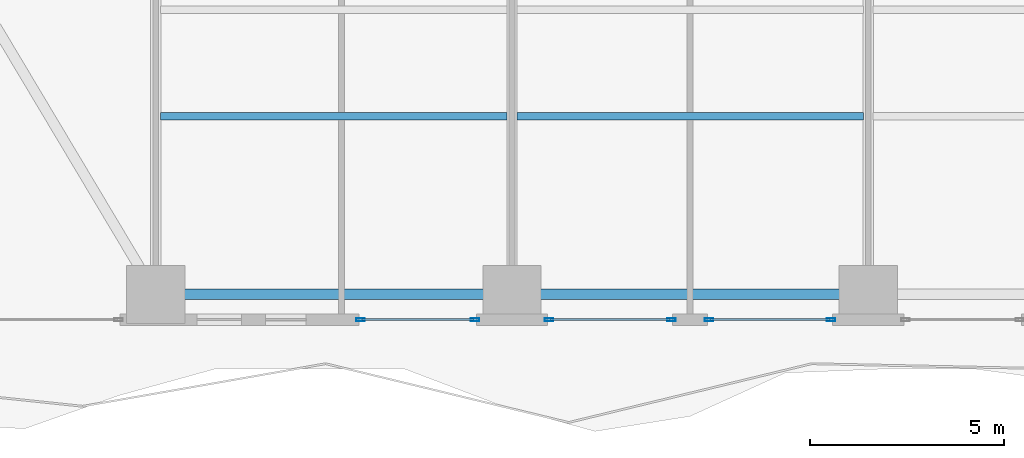
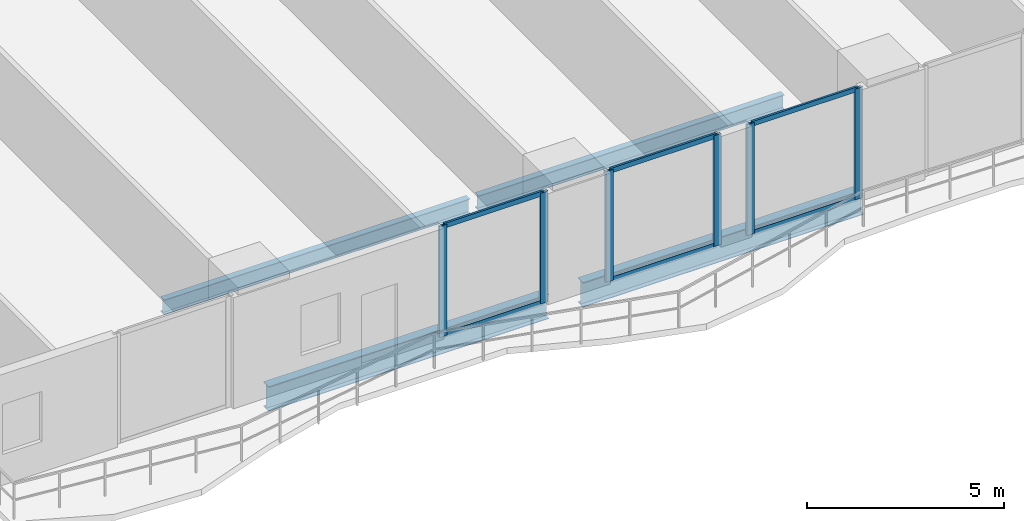
# One storey, part 4 of 29: 12 members, 4 beams, 3 elements without a shape of their own.
"""IFC4 building model written with IfcOpenShell, lengths in metres."""

from ifc_helpers import new_model, si_unit, direction, frame, origin, origin_2d, place, context, subcontext, project, spatial, hollow_rectangle, i_section, extrude, material, layer, layer_set, material_profile, profile_set, type_object, element, aggregate, save


model = new_model("IFC4")

# Units and contexts
model_context = context("Model", 3, precision=1e-05, world=origin(), true_north=direction((0.0, 1.0)))
body_context = subcontext(model_context, "Body", "Model", "MODEL_VIEW")
ifc_project = project(units=[si_unit("LENGTHUNIT", "METRE"), si_unit("AREAUNIT", "SQUARE_METRE"), si_unit("VOLUMEUNIT", "CUBIC_METRE"), si_unit("PLANEANGLEUNIT", "RADIAN"), si_unit("MASSUNIT", "GRAM", prefix="KILO")], contexts=[model_context])

# Site, building, storey
site_placement = place(None, origin())
site = spatial("IfcSite", under=ifc_project, at=site_placement, CompositionType="ELEMENT")
building_placement = place(site_placement, origin())
building = spatial("IfcBuilding", under=site, at=building_placement, Name="Zuhayl Quay Hotel", CompositionType="ELEMENT")
storey_placement = place(building_placement, frame((0.0, 0.0, 64.10009765625)))
storey = spatial("IfcBuildingStorey", under=building, at=storey_placement, Name="L15", CompositionType="ELEMENT", Elevation=64.10009765625)

# Beams
ifc_material_1 = material(Name="Steel ASTM A992 Grade 50", Category="steel")
ifc_material_profile_1 = material_profile(ifc_material_1, i_section(OverallWidth=0.26708984375, OverallDepth=0.761962890625, WebThickness=0.014404296875, FlangeThickness=0.021484375, at=origin_2d()), Name="W30X116")
ifc_profile_set_1 = profile_set([ifc_material_profile_1], Name="Steel ASTM A992 Grade 50")
beam_type_1 = type_object("IfcBeamType", Name="BM_B1_W30X116", PredefinedType="BEAM", material=ifc_profile_set_1)
beam_1_placement = place(storey_placement, frame((-13.300048828125, -22.449951171875, -0.60107421875), z_axis=(1.0, 0.0, 0.0), x_axis=(0.0, 1.0, 0.0)))
element("IfcBeam", 1, at=beam_1_placement, inside=storey, type_object=beam_type_1, Name="L15 Floor Beam RG_L15_01", PredefinedType="BEAM", context=body_context, shape_type="SweptSolid", body=[
    extrude(i_section(OverallWidth=0.26708984375, OverallDepth=0.761962890625, WebThickness=0.014404296875, FlangeThickness=0.021484375, at=origin_2d()), origin(), (0.0, 0.0, 1.0), 8.199951171875),
])
beam_2_placement = place(storey_placement, frame((-4.10009765625, -22.449951171875, -0.60107421875), z_axis=(1.0, 0.0, 0.0), x_axis=(0.0, 1.0, 0.0)))
element("IfcBeam", 2, at=beam_2_placement, inside=storey, type_object=beam_type_1, Name="L15 Floor Beam RG_L15_02", PredefinedType="BEAM", context=body_context, shape_type="SweptSolid", body=[
    extrude(i_section(OverallWidth=0.26708984375, OverallDepth=0.761962890625, WebThickness=0.014404296875, FlangeThickness=0.021484375, at=origin_2d()), origin(), (0.0, 0.0, 1.0), 8.2001953125),
])
ifc_material_profile_2 = material_profile(ifc_material_1, i_section(OverallWidth=0.18994140625, OverallDepth=0.45703125, WebThickness=0.009033203125, FlangeThickness=0.014404296875, at=origin_2d()), Name="W18X50")
ifc_profile_set_2 = profile_set([ifc_material_profile_2], Name="Steel ASTM A992 Grade 50")
beam_type_2 = type_object("IfcBeamType", Name="BM_J2_W18X50", PredefinedType="JOIST", material=ifc_profile_set_2)
beam_3_placement = place(storey_placement, frame((-13.674560546875, -17.85009765625, -0.448486328125), z_axis=(1.0, 0.0, 0.0), x_axis=(0.0, 1.0, 0.0)))
element("IfcBeam", 3, at=beam_3_placement, inside=storey, type_object=beam_type_2, Name="L15 Floor Beam FJ_L15_3_1", PredefinedType="JOIST", context=body_context, shape_type="SweptSolid", body=[
    extrude(i_section(OverallWidth=0.18994140625, OverallDepth=0.45703125, WebThickness=0.009033203125, FlangeThickness=0.014404296875, at=origin_2d()), origin(), (0.0, 0.0, 1.0), 8.948974609375),
])
beam_4_placement = place(storey_placement, frame((-4.474609375, -17.85009765625, -0.448486328125), z_axis=(1.0, 0.0, 0.0), x_axis=(0.0, 1.0, 0.0)))
element("IfcBeam", 4, at=beam_4_placement, inside=storey, type_object=beam_type_2, Name="L15 Floor Beam FJ_L15_3_2", PredefinedType="JOIST", context=body_context, shape_type="SweptSolid", body=[
    extrude(i_section(OverallWidth=0.18994140625, OverallDepth=0.45703125, WebThickness=0.009033203125, FlangeThickness=0.014404296875, at=origin_2d()), origin(), (0.0, 0.0, 1.0), 8.94921875),
])

# Curtain wall, members
ifc_material_2 = material(Name="Anodised Aluminium 6063-T6", Category="aluminium")
ifc_layer = layer(ifc_material_2, 0.18994140625, Name="Anodised Aluminium 6063-T6", Category="aluminium")
ifc_layer_set = layer_set([ifc_layer], Name="Anodised Aluminium 6063-T6")
curtain_wall_type = type_object("IfcCurtainWallType", Name="CW_SYS_Z1", PredefinedType="USERDEFINED", material=ifc_layer_set)
curtain_wall_1_placement = place(storey_placement, origin())
curtain_wall_1 = element("IfcCurtainWall", 5, at=curtain_wall_1_placement, inside=storey, type_object=curtain_wall_type, Name="L15 Curtain Wall ENV_L15_S_CW4", ObjectType="UNITISED CURTAIN WALL", PredefinedType="USERDEFINED")
ifc_material_3 = material(Name="Black-anodised aluminium 6063-T6", Category="aluminium")
ifc_material_profile_3 = material_profile(ifc_material_3, hollow_rectangle(XDim=0.074951171875, YDim=0.219970703125, WallThickness=0.00390625, at=origin_2d()), Name="ALU220X75")
ifc_profile_set_3 = profile_set([ifc_material_profile_3], Name="Black-anodised aluminium 6063-T6")
member_type_1 = type_object("IfcMemberType", Name="MB_CW_MUL_220", PredefinedType="MULLION", material=ifc_profile_set_3)
member_1_placement = place(storey_placement, frame((3.642578125, -23.10009765625, 0.0), z_axis=(0.0, 0.0, 1.0), x_axis=(0.0, -1.0, 0.0)))
member_1 = element("IfcMember", 6, at=member_1_placement, type_object=member_type_1, Name="CW-Z1 mullion 1", PredefinedType="MULLION", context=body_context, shape_type="SweptSolid", body=[
    extrude(hollow_rectangle(XDim=0.074951171875, YDim=0.219970703125, WallThickness=0.00390625, at=origin_2d()), origin(), (0.0, 0.0, 1.0), 3.429931640625),
])
member_2_placement = place(storey_placement, frame((0.487548828125, -23.10009765625, 0.0), z_axis=(0.0, 0.0, 1.0), x_axis=(0.0, -1.0, 0.0)))
member_2 = element("IfcMember", 7, at=member_2_placement, type_object=member_type_1, Name="CW-Z1 mullion 2", PredefinedType="MULLION", context=body_context, shape_type="SweptSolid", body=[
    extrude(hollow_rectangle(XDim=0.074951171875, YDim=0.219970703125, WallThickness=0.00390625, at=origin_2d()), origin(), (0.0, 0.0, 1.0), 3.429931640625),
])

curtain_wall_2_placement = place(storey_placement, origin())
curtain_wall_2 = element("IfcCurtainWall", 8, at=curtain_wall_2_placement, inside=storey, type_object=curtain_wall_type, Name="L15 Curtain Wall ENV_L15_S_CW5", ObjectType="UNITISED CURTAIN WALL", PredefinedType="USERDEFINED")
member_3_placement = place(storey_placement, frame((-0.487548828125, -23.10009765625, 0.0), z_axis=(0.0, 0.0, 1.0), x_axis=(0.0, -1.0, 0.0)))
member_3 = element("IfcMember", 9, at=member_3_placement, type_object=member_type_1, Name="CW-Z1 mullion 1", PredefinedType="MULLION", context=body_context, shape_type="SweptSolid", body=[
    extrude(hollow_rectangle(XDim=0.074951171875, YDim=0.219970703125, WallThickness=0.00390625, at=origin_2d()), origin(), (0.0, 0.0, 1.0), 3.429931640625),
])
member_4_placement = place(storey_placement, frame((-3.642578125, -23.10009765625, 0.0), z_axis=(0.0, 0.0, 1.0), x_axis=(0.0, -1.0, 0.0)))
member_4 = element("IfcMember", 10, at=member_4_placement, type_object=member_type_1, Name="CW-Z1 mullion 2", PredefinedType="MULLION", context=body_context, shape_type="SweptSolid", body=[
    extrude(hollow_rectangle(XDim=0.074951171875, YDim=0.219970703125, WallThickness=0.00390625, at=origin_2d()), origin(), (0.0, 0.0, 1.0), 3.429931640625),
])

curtain_wall_3_placement = place(storey_placement, origin())
curtain_wall_3 = element("IfcCurtainWall", 11, at=curtain_wall_3_placement, inside=storey, type_object=curtain_wall_type, Name="L15 Curtain Wall ENV_L15_S_CW6", ObjectType="UNITISED CURTAIN WALL", PredefinedType="USERDEFINED")
member_5_placement = place(storey_placement, frame((-5.5576171875, -23.10009765625, 0.0), z_axis=(0.0, 0.0, 1.0), x_axis=(0.0, -1.0, 0.0)))
member_5 = element("IfcMember", 12, at=member_5_placement, type_object=member_type_1, Name="CW-Z1 mullion 1", PredefinedType="MULLION", context=body_context, shape_type="SweptSolid", body=[
    extrude(hollow_rectangle(XDim=0.074951171875, YDim=0.219970703125, WallThickness=0.00390625, at=origin_2d()), origin(), (0.0, 0.0, 1.0), 3.429931640625),
])
member_6_placement = place(storey_placement, frame((-8.512451171875, -23.10009765625, 0.0), z_axis=(0.0, 0.0, 1.0), x_axis=(0.0, -1.0, 0.0)))
member_6 = element("IfcMember", 13, at=member_6_placement, type_object=member_type_1, Name="CW-Z1 mullion 2", PredefinedType="MULLION", context=body_context, shape_type="SweptSolid", body=[
    extrude(hollow_rectangle(XDim=0.074951171875, YDim=0.219970703125, WallThickness=0.00390625, at=origin_2d()), origin(), (0.0, 0.0, 1.0), 3.429931640625),
])

# Member
ifc_material_profile_4 = material_profile(ifc_material_3, hollow_rectangle(XDim=0.06005859375, YDim=0.14990234375, WallThickness=0.00341796875, at=origin_2d()), Name="ALU150X60")
ifc_profile_set_4 = profile_set([ifc_material_profile_4], Name="Black-anodised aluminium 6063-T6")
member_type_2 = type_object("IfcMemberType", Name="MB_CW_TRN_150", PredefinedType="USERDEFINED", material=ifc_profile_set_4)
member_7_placement = place(storey_placement, frame((3.60498046875, -23.10009765625, 0.02978515625), z_axis=(-1.0, 0.0, 0.0), x_axis=(0.0, -1.0, 0.0)))
member_7 = element("IfcMember", 14, at=member_7_placement, type_object=member_type_2, Name="CW-Z1 transom 1.1", ObjectType="TRANSOM", PredefinedType="USERDEFINED", context=body_context, shape_type="SweptSolid", body=[
    extrude(hollow_rectangle(XDim=0.06005859375, YDim=0.14990234375, WallThickness=0.00341796875, at=origin_2d()), origin(), (0.0, 0.0, 1.0), 3.080078125),
])

member_8_placement = place(storey_placement, frame((3.60498046875, -23.10009765625, 3.39990234375), z_axis=(-1.0, 0.0, 0.0), x_axis=(0.0, -1.0, 0.0)))
member_8 = element("IfcMember", 15, at=member_8_placement, type_object=member_type_2, Name="CW-Z1 transom 1.2", ObjectType="TRANSOM", PredefinedType="USERDEFINED", context=body_context, shape_type="SweptSolid", body=[
    extrude(hollow_rectangle(XDim=0.06005859375, YDim=0.14990234375, WallThickness=0.00341796875, at=origin_2d()), origin(), (0.0, 0.0, 1.0), 3.080078125),
])

aggregate(curtain_wall_1, [member_1, member_2, member_7, member_8])

member_9_placement = place(storey_placement, frame((-0.52490234375, -23.10009765625, 0.02978515625), z_axis=(-1.0, 0.0, 0.0), x_axis=(0.0, -1.0, 0.0)))
member_9 = element("IfcMember", 16, at=member_9_placement, type_object=member_type_2, Name="CW-Z1 transom 1.1", ObjectType="TRANSOM", PredefinedType="USERDEFINED", context=body_context, shape_type="SweptSolid", body=[
    extrude(hollow_rectangle(XDim=0.06005859375, YDim=0.14990234375, WallThickness=0.00341796875, at=origin_2d()), origin(), (0.0, 0.0, 1.0), 3.080078125),
])

member_10_placement = place(storey_placement, frame((-0.52490234375, -23.10009765625, 3.39990234375), z_axis=(-1.0, 0.0, 0.0), x_axis=(0.0, -1.0, 0.0)))
member_10 = element("IfcMember", 17, at=member_10_placement, type_object=member_type_2, Name="CW-Z1 transom 1.2", ObjectType="TRANSOM", PredefinedType="USERDEFINED", context=body_context, shape_type="SweptSolid", body=[
    extrude(hollow_rectangle(XDim=0.06005859375, YDim=0.14990234375, WallThickness=0.00341796875, at=origin_2d()), origin(), (0.0, 0.0, 1.0), 3.080078125),
])

aggregate(curtain_wall_2, [member_3, member_4, member_9, member_10])

member_11_placement = place(storey_placement, frame((-5.594970703125, -23.10009765625, 0.02978515625), z_axis=(-1.0, 0.0, 0.0), x_axis=(0.0, -1.0, 0.0)))
member_11 = element("IfcMember", 18, at=member_11_placement, type_object=member_type_2, Name="CW-Z1 transom 1.1", ObjectType="TRANSOM", PredefinedType="USERDEFINED", context=body_context, shape_type="SweptSolid", body=[
    extrude(hollow_rectangle(XDim=0.06005859375, YDim=0.14990234375, WallThickness=0.00341796875, at=origin_2d()), origin(), (0.0, 0.0, 1.0), 2.880126953125),
])

member_12_placement = place(storey_placement, frame((-5.594970703125, -23.10009765625, 3.39990234375), z_axis=(-1.0, 0.0, 0.0), x_axis=(0.0, -1.0, 0.0)))
member_12 = element("IfcMember", 19, at=member_12_placement, type_object=member_type_2, Name="CW-Z1 transom 1.2", ObjectType="TRANSOM", PredefinedType="USERDEFINED", context=body_context, shape_type="SweptSolid", body=[
    extrude(hollow_rectangle(XDim=0.06005859375, YDim=0.14990234375, WallThickness=0.00341796875, at=origin_2d()), origin(), (0.0, 0.0, 1.0), 2.880126953125),
])

aggregate(curtain_wall_3, [member_5, member_6, member_11, member_12])

save(model, "model.ifc")
